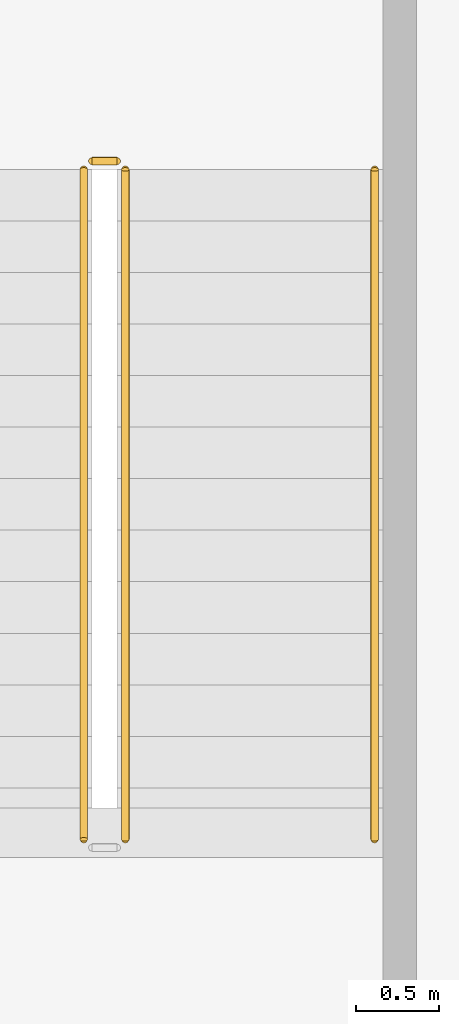
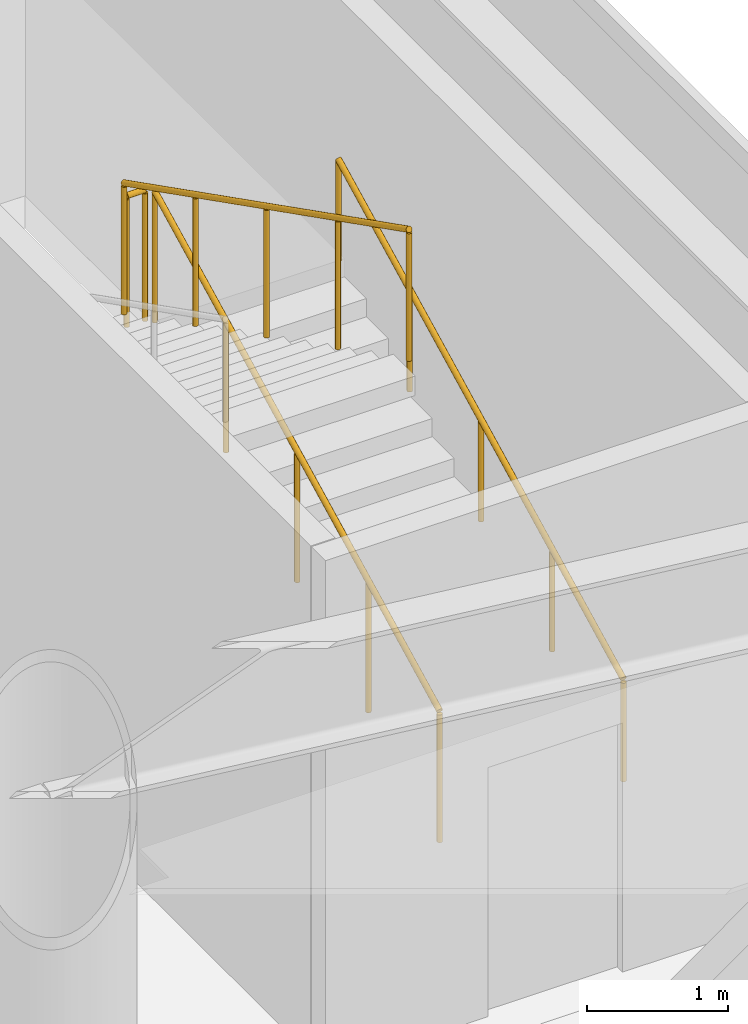
# One storey, part 24 of 24: 4 railings.
"""IFC4 building model written with IfcOpenShell, lengths in metres."""

from ifc_helpers import new_model, si_unit, direction, frame, origin, origin_2d, place, context, subcontext, project, spatial, circle, extrude, material, type_object, element, save


model = new_model("IFC4")

# Units and contexts
model_context = context("Model", 3, precision=1e-05, world=origin(), true_north=direction((0.0, 1.0)))
body_context = subcontext(model_context, "Body", "Model", "MODEL_VIEW")
ifc_project = project(units=[si_unit("LENGTHUNIT", "METRE"), si_unit("AREAUNIT", "SQUARE_METRE"), si_unit("VOLUMEUNIT", "CUBIC_METRE"), si_unit("PLANEANGLEUNIT", "RADIAN"), si_unit("MASSUNIT", "GRAM", prefix="KILO")], contexts=[model_context])

# Site, building, storey
site_placement = place(None, origin())
site = spatial("IfcSite", under=ifc_project, at=site_placement, CompositionType="ELEMENT")
building_placement = place(site_placement, origin())
building = spatial("IfcBuilding", under=site, at=building_placement, Name="Vaeldorn Concourse Tower", CompositionType="ELEMENT")
storey_placement = place(building_placement, frame((0.0, 0.0, 10.0)))
storey = spatial("IfcBuildingStorey", under=building, at=storey_placement, Name="L02", CompositionType="ELEMENT", Elevation=10.0)

# Railings
ifc_material = material(Name="Anodised Bronze Aluminium", Category="aluminium")
railing_type_1 = type_object("IfcRailingType", Name="RL-STAIR-GUARD", PredefinedType="GUARDRAIL", material=ifc_material)
railing_1_placement = place(storey_placement, frame((64.699951171875, 38.449951171875, 0.1572265625)))
element("IfcRailing", 1, at=railing_1_placement, inside=storey, type_object=railing_type_1, Name="L02 ST-4 stair guard 1", PredefinedType="GUARDRAIL", context=body_context, shape_type="SweptSolid", body=[
    extrude(circle(Radius=0.02392578125, at=origin_2d()), frame((0.0, 0.0, 1.1259765625), z_axis=(0.0, 0.891960531628, 0.452113271226), x_axis=(-1.0, 0.0, 0.0)), (0.0, 0.0, 1.0), 4.51806640625),
    extrude(circle(Radius=0.02099609375, at=origin_2d()), origin(), (0.0, 0.0, 1.0), 1.101806640625),
    extrude(circle(Radius=0.02099609375, at=origin_2d()), frame((0.0, 1.007568359375, 0.5107421875)), (0.0, 0.0, 1.0), 1.101806640625),
    extrude(circle(Radius=0.02099609375, at=origin_2d()), frame((0.0, 2.01513671875, 1.021484375)), (0.0, 0.0, 1.0), 1.101806640625),
    extrude(circle(Radius=0.02099609375, at=origin_2d()), frame((0.0, 3.0224609375, 1.531982421875)), (0.0, 0.0, 1.0), 1.101806640625),
    extrude(circle(Radius=0.02099609375, at=origin_2d()), frame((0.0, 4.030029296875, 2.042724609375)), (0.0, 0.0, 1.0), 1.101806640625),
])
railing_2_placement = place(storey_placement, frame((64.64990234375, 42.530029296875, 2.199951171875)))
element("IfcRailing", 2, at=railing_2_placement, inside=storey, type_object=railing_type_1, Name="L02 ST-4 stair guard 2", PredefinedType="GUARDRAIL", context=body_context, shape_type="SweptSolid", body=[
    extrude(circle(Radius=0.02392578125, at=origin_2d()), frame((0.0, 0.0, 1.1259765625), z_axis=(-1.0, 0.0, 0.0), x_axis=(0.0, -1.0, 0.0)), (0.0, 0.0, 1.0), 0.14990234375),
    extrude(circle(Radius=0.02099609375, at=origin_2d()), origin(), (0.0, 0.0, 1.0), 1.101806640625),
    extrude(circle(Radius=0.02099609375, at=origin_2d()), frame((-0.14990234375, 0.0, 0.0)), (0.0, 0.0, 1.0), 1.101806640625),
])
railing_3_placement = place(storey_placement, frame((64.449951171875, 42.47998046875, 2.357177734375)))
element("IfcRailing", 3, at=railing_3_placement, inside=storey, type_object=railing_type_1, Name="L02 ST-4 stair guard 3", PredefinedType="GUARDRAIL", context=body_context, shape_type="SweptSolid", body=[
    extrude(circle(Radius=0.02392578125, at=origin_2d()), frame((0.0, 0.0, 1.1259765625), z_axis=(0.0, -0.891960531628, 0.452113271226), x_axis=(1.0, 0.0, 0.0)), (0.0, 0.0, 1.0), 4.51806640625),
    extrude(circle(Radius=0.02099609375, at=origin_2d()), origin(), (0.0, 0.0, 1.0), 1.101806640625),
    extrude(circle(Radius=0.02099609375, at=origin_2d()), frame((0.0, -1.007568359375, 0.5107421875)), (0.0, 0.0, 1.0), 1.101806640625),
    extrude(circle(Radius=0.02099609375, at=origin_2d()), frame((0.0, -2.01513671875, 1.021484375)), (0.0, 0.0, 1.0), 1.101806640625),
    extrude(circle(Radius=0.02099609375, at=origin_2d()), frame((0.0, -3.0224609375, 1.531982421875)), (0.0, 0.0, 1.0), 1.101806640625),
    extrude(circle(Radius=0.02099609375, at=origin_2d()), frame((0.0, -4.030029296875, 2.042724609375)), (0.0, 0.0, 1.0), 1.101806640625),
])
railing_type_2 = type_object("IfcRailingType", Name="RL-STAIR-HANDRAIL", PredefinedType="HANDRAIL", material=ifc_material)
railing_4_placement = place(storey_placement, frame((66.199951171875, 38.449951171875, 0.1572265625)))
element("IfcRailing", 4, at=railing_4_placement, inside=storey, type_object=railing_type_2, Name="L02 ST-4 stair handrail 1", PredefinedType="HANDRAIL", context=body_context, shape_type="SweptSolid", body=[
    extrude(circle(Radius=0.02392578125, at=origin_2d()), frame((0.0, 0.0, 0.8759765625), z_axis=(0.0, 0.891960531628, 0.452113271226), x_axis=(-1.0, 0.0, 0.0)), (0.0, 0.0, 1.0), 4.51806640625),
    extrude(circle(Radius=0.02099609375, at=origin_2d()), origin(), (0.0, 0.0, 1.0), 0.851806640625),
    extrude(circle(Radius=0.02099609375, at=origin_2d()), frame((0.0, 1.007568359375, 0.5107421875)), (0.0, 0.0, 1.0), 0.851806640625),
    extrude(circle(Radius=0.02099609375, at=origin_2d()), frame((0.0, 2.01513671875, 1.021484375)), (0.0, 0.0, 1.0), 0.851806640625),
    extrude(circle(Radius=0.02099609375, at=origin_2d()), frame((0.0, 3.0224609375, 1.531982421875)), (0.0, 0.0, 1.0), 0.851806640625),
    extrude(circle(Radius=0.02099609375, at=origin_2d()), frame((0.0, 4.030029296875, 2.042724609375)), (0.0, 0.0, 1.0), 0.851806640625),
])

save(model, "model.ifc")
